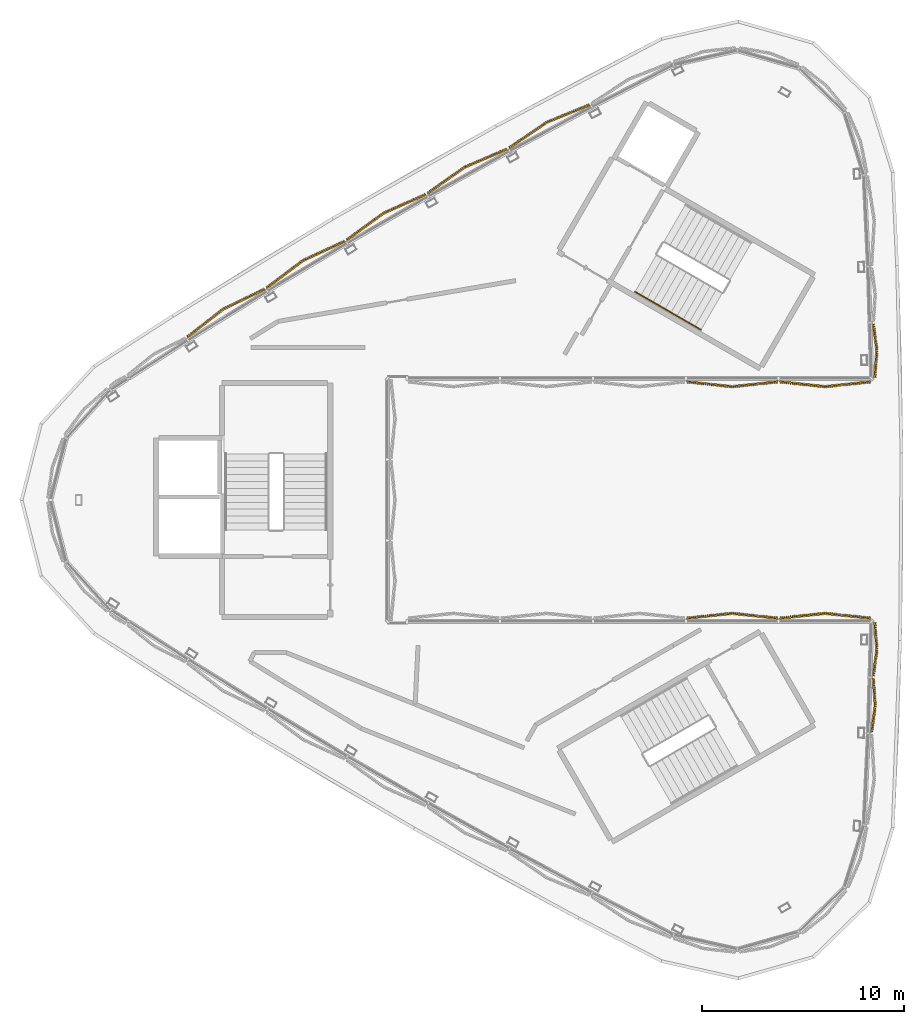
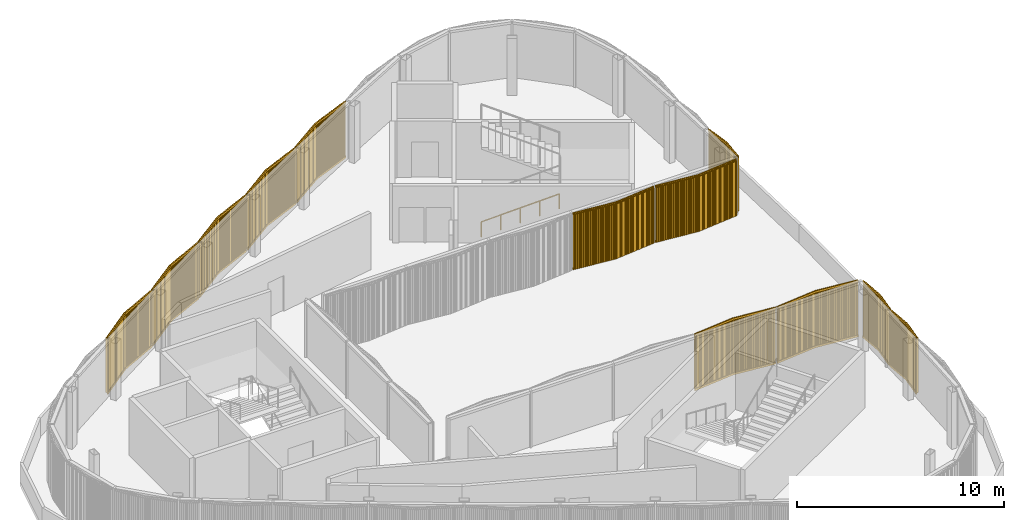
# One storey, part 14 of 16: 12 coverings, 1 railing.
"""IFC4 building model written with IfcOpenShell, lengths in metres."""

from ifc_helpers import new_model, si_unit, direction, frame, frame_2d, origin, origin_2d, place, context, subcontext, project, spatial, rectangle, circle, extrude, source, transform, mapped, material, type_object, element, save


model = new_model("IFC4")

# Units and contexts
model_context = context("Model", 3, precision=1e-05, world=origin(), true_north=direction((0.0, 1.0)))
body_context = subcontext(model_context, "Body", "Model", "MODEL_VIEW")
ifc_project = project(units=[si_unit("LENGTHUNIT", "METRE"), si_unit("AREAUNIT", "SQUARE_METRE"), si_unit("VOLUMEUNIT", "CUBIC_METRE"), si_unit("PLANEANGLEUNIT", "RADIAN"), si_unit("MASSUNIT", "GRAM", prefix="KILO")], contexts=[model_context])

# Site, building, storey
site_placement = place(None, origin())
site = spatial("IfcSite", under=ifc_project, at=site_placement, CompositionType="ELEMENT")
building_placement = place(site_placement, origin())
building = spatial("IfcBuilding", under=site, at=building_placement, Name="Tamra Quay Hotel Tower", CompositionType="ELEMENT")
storey_placement = place(building_placement, frame((0.0, 0.0, 320.60009765625)))
storey = spatial("IfcBuildingStorey", under=building, at=storey_placement, Name="Roof crown 1", CompositionType="ELEMENT", Elevation=320.60009765625)

# Railing
ifc_material_1 = material(Name="Stair handrail 900")
railing_type = type_object("IfcRailingType", Name="Stair handrail 900", PredefinedType="HANDRAIL", material=ifc_material_1)
railing_placement = place(storey_placement, frame((4.234375, 10.294189453125, 0.14990234375)))
element("IfcRailing", 1, at=railing_placement, inside=storey, type_object=railing_type, Name="HR", PredefinedType="HANDRAIL", context=body_context, shape_type="SweptSolid", body=[
    extrude(circle(Radius=0.02392578125, at=origin_2d()), frame((0.0, 0.0, 0.8759765625), z_axis=(0.793122095483, -0.45786531462, 0.401642496911), x_axis=(0.499964013922, 0.86604617936, 0.0)), (0.0, 0.0, 1.0), 4.10791015625),
    extrude(circle(Radius=0.02099609375, at=origin_2d()), origin(), (0.0, 0.0, 1.0), 0.851806640625),
    extrude(circle(Radius=0.02099609375, at=origin_2d()), frame((0.814453125, -0.47021484375, 0.41259765625)), (0.0, 0.0, 1.0), 0.851806640625),
    extrude(circle(Radius=0.02099609375, at=origin_2d()), frame((1.62890625, -0.9404296875, 0.824951171875)), (0.0, 0.0, 1.0), 0.851806640625),
    extrude(circle(Radius=0.02099609375, at=origin_2d()), frame((2.443603515625, -1.41064453125, 1.2373046875)), (0.0, 0.0, 1.0), 0.851806640625),
    extrude(circle(Radius=0.02099609375, at=origin_2d()), frame((3.258056640625, -1.880859375, 1.64990234375)), (0.0, 0.0, 1.0), 0.851806640625),
])

# Coverings
ifc_material_2 = material(Name="Terracotta baguette extruded", Category="masonry")
covering_type = type_object("IfcCoveringType", Name="BAGUETTE SCREEN CROWN H3350", PredefinedType="USERDEFINED", material=ifc_material_2)
shared_shape_1 = source(origin(), body_context, "Body", "SweptSolid", [
    extrude(rectangle(XDim=2.27490234375, YDim=0.06005859375, at=frame_2d((1.137451171875, 0.030029296875))), frame((-2.268798828125, -0.0576171875, -0.1201171875), z_axis=(0.0, 0.0, 1.0), x_axis=(0.994521895368, -0.104528463268, 0.0)), (0.0, 0.0, 1.0), 0.1201171875),
    extrude(rectangle(XDim=2.27490234375, YDim=0.06005859375, at=frame_2d((1.137451171875, 0.030029296875))), frame((-2.268798828125, -0.0576171875, -3.35009765625), z_axis=(0.0, 0.0, 1.0), x_axis=(0.994521895368, -0.104528463268, 0.0)), (0.0, 0.0, 1.0), 0.1201171875),
    extrude(rectangle(XDim=0.070068359375, YDim=0.10009765625, at=frame_2d((0.03515625, 0.050048828125))), frame((-2.248291015625, -0.133056640625, -3.2900390625)), (0.0, 0.0, 1.0), 3.22998046875),
    extrude(rectangle(XDim=0.070068359375, YDim=0.10009765625, at=frame_2d((0.03515625, 0.050048828125))), frame((-2.14990234375, -0.1435546875, -3.2900390625)), (0.0, 0.0, 1.0), 3.22998046875),
    extrude(rectangle(XDim=0.070068359375, YDim=0.10009765625, at=frame_2d((0.03515625, 0.050048828125))), frame((-2.051513671875, -0.15380859375, -3.2900390625)), (0.0, 0.0, 1.0), 3.22998046875),
    extrude(rectangle(XDim=0.070068359375, YDim=0.10009765625, at=frame_2d((0.03515625, 0.050048828125))), frame((-1.953125, -0.164306640625, -3.2900390625)), (0.0, 0.0, 1.0), 3.22998046875),
    extrude(rectangle(XDim=0.070068359375, YDim=0.10009765625, at=frame_2d((0.03515625, 0.050048828125))), frame((-1.854736328125, -0.174560546875, -3.2900390625)), (0.0, 0.0, 1.0), 3.22998046875),
    extrude(rectangle(XDim=0.070068359375, YDim=0.10009765625, at=frame_2d((0.03515625, 0.050048828125))), frame((-1.756591796875, -0.184814453125, -3.2900390625)), (0.0, 0.0, 1.0), 3.22998046875),
    extrude(rectangle(XDim=0.070068359375, YDim=0.10009765625, at=frame_2d((0.03515625, 0.050048828125))), frame((-1.658203125, -0.1953125, -3.2900390625)), (0.0, 0.0, 1.0), 3.22998046875),
    extrude(rectangle(XDim=0.070068359375, YDim=0.10009765625, at=frame_2d((0.03515625, 0.050048828125))), frame((-1.559814453125, -0.20556640625, -3.2900390625)), (0.0, 0.0, 1.0), 3.22998046875),
    extrude(rectangle(XDim=0.070068359375, YDim=0.10009765625, at=frame_2d((0.03515625, 0.050048828125))), frame((-1.46142578125, -0.2158203125, -3.2900390625)), (0.0, 0.0, 1.0), 3.22998046875),
    extrude(rectangle(XDim=0.070068359375, YDim=0.10009765625, at=frame_2d((0.03515625, 0.050048828125))), frame((-1.363037109375, -0.226318359375, -3.2900390625)), (0.0, 0.0, 1.0), 3.22998046875),
    extrude(rectangle(XDim=0.070068359375, YDim=0.10009765625, at=frame_2d((0.03515625, 0.050048828125))), frame((-1.2646484375, -0.236572265625, -3.2900390625)), (0.0, 0.0, 1.0), 3.22998046875),
    extrude(rectangle(XDim=0.070068359375, YDim=0.10009765625, at=frame_2d((0.03515625, 0.050048828125))), frame((-1.166259765625, -0.246826171875, -3.2900390625)), (0.0, 0.0, 1.0), 3.22998046875),
    extrude(rectangle(XDim=0.070068359375, YDim=0.10009765625, at=frame_2d((0.03515625, 0.050048828125))), frame((-1.06787109375, -0.25732421875, -3.2900390625)), (0.0, 0.0, 1.0), 3.22998046875),
    extrude(rectangle(XDim=0.070068359375, YDim=0.10009765625, at=frame_2d((0.03515625, 0.050048828125))), frame((-0.969482421875, -0.267578125, -3.2900390625)), (0.0, 0.0, 1.0), 3.22998046875),
    extrude(rectangle(XDim=0.070068359375, YDim=0.10009765625, at=frame_2d((0.03515625, 0.050048828125))), frame((-0.87109375, -0.27783203125, -3.2900390625)), (0.0, 0.0, 1.0), 3.22998046875),
    extrude(rectangle(XDim=0.070068359375, YDim=0.10009765625, at=frame_2d((0.03515625, 0.050048828125))), frame((-0.772705078125, -0.288330078125, -3.2900390625)), (0.0, 0.0, 1.0), 3.22998046875),
    extrude(rectangle(XDim=0.070068359375, YDim=0.10009765625, at=frame_2d((0.03515625, 0.050048828125))), frame((-0.67431640625, -0.298583984375, -3.2900390625)), (0.0, 0.0, 1.0), 3.22998046875),
    extrude(rectangle(XDim=0.070068359375, YDim=0.10009765625, at=frame_2d((0.03515625, 0.050048828125))), frame((-0.575927734375, -0.308837890625, -3.2900390625)), (0.0, 0.0, 1.0), 3.22998046875),
    extrude(rectangle(XDim=0.070068359375, YDim=0.10009765625, at=frame_2d((0.03515625, 0.050048828125))), frame((-0.4775390625, -0.3193359375, -3.2900390625)), (0.0, 0.0, 1.0), 3.22998046875),
    extrude(rectangle(XDim=0.070068359375, YDim=0.10009765625, at=frame_2d((0.03515625, 0.050048828125))), frame((-0.37939453125, -0.32958984375, -3.2900390625)), (0.0, 0.0, 1.0), 3.22998046875),
    extrude(rectangle(XDim=0.070068359375, YDim=0.10009765625, at=frame_2d((0.03515625, 0.050048828125))), frame((-0.281005859375, -0.33984375, -3.2900390625)), (0.0, 0.0, 1.0), 3.22998046875),
    extrude(rectangle(XDim=0.070068359375, YDim=0.10009765625, at=frame_2d((0.03515625, 0.050048828125))), frame((-0.1826171875, -0.350341796875, -3.2900390625)), (0.0, 0.0, 1.0), 3.22998046875),
    extrude(rectangle(XDim=0.070068359375, YDim=0.10009765625, at=frame_2d((0.03515625, 0.050048828125))), frame((-0.084228515625, -0.360595703125, -3.2900390625)), (0.0, 0.0, 1.0), 3.22998046875),
    extrude(rectangle(XDim=2.27490234375, YDim=0.06005859375, at=frame_2d((1.137451171875, 0.030029296875))), frame((0.00634765625, -0.29541015625, -0.1201171875), z_axis=(0.0, 0.0, 1.0), x_axis=(0.994521895368, 0.104528463268, 0.0)), (0.0, 0.0, 1.0), 0.1201171875),
    extrude(rectangle(XDim=2.27490234375, YDim=0.06005859375, at=frame_2d((1.137451171875, 0.030029296875))), frame((0.00634765625, -0.29541015625, -3.35009765625), z_axis=(0.0, 0.0, 1.0), x_axis=(0.994521895368, 0.104528463268, 0.0)), (0.0, 0.0, 1.0), 0.1201171875),
    extrude(rectangle(XDim=0.070068359375, YDim=0.10009765625, at=frame_2d((0.03515625, 0.050048828125))), frame((0.01416015625, -0.360595703125, -3.2900390625)), (0.0, 0.0, 1.0), 3.22998046875),
    extrude(rectangle(XDim=0.070068359375, YDim=0.10009765625, at=frame_2d((0.03515625, 0.050048828125))), frame((0.112548828125, -0.350341796875, -3.2900390625)), (0.0, 0.0, 1.0), 3.22998046875),
    extrude(rectangle(XDim=0.070068359375, YDim=0.10009765625, at=frame_2d((0.03515625, 0.050048828125))), frame((0.2109375, -0.33984375, -3.2900390625)), (0.0, 0.0, 1.0), 3.22998046875),
    extrude(rectangle(XDim=0.070068359375, YDim=0.10009765625, at=frame_2d((0.03515625, 0.050048828125))), frame((0.309326171875, -0.32958984375, -3.2900390625)), (0.0, 0.0, 1.0), 3.22998046875),
    extrude(rectangle(XDim=0.070068359375, YDim=0.10009765625, at=frame_2d((0.03515625, 0.050048828125))), frame((0.40771484375, -0.3193359375, -3.2900390625)), (0.0, 0.0, 1.0), 3.22998046875),
    extrude(rectangle(XDim=0.070068359375, YDim=0.10009765625, at=frame_2d((0.03515625, 0.050048828125))), frame((0.506103515625, -0.308837890625, -3.2900390625)), (0.0, 0.0, 1.0), 3.22998046875),
    extrude(rectangle(XDim=0.070068359375, YDim=0.10009765625, at=frame_2d((0.03515625, 0.050048828125))), frame((0.6044921875, -0.298583984375, -3.2900390625)), (0.0, 0.0, 1.0), 3.22998046875),
    extrude(rectangle(XDim=0.070068359375, YDim=0.10009765625, at=frame_2d((0.03515625, 0.050048828125))), frame((0.702880859375, -0.288330078125, -3.2900390625)), (0.0, 0.0, 1.0), 3.22998046875),
    extrude(rectangle(XDim=0.070068359375, YDim=0.10009765625, at=frame_2d((0.03515625, 0.050048828125))), frame((0.801025390625, -0.27783203125, -3.2900390625)), (0.0, 0.0, 1.0), 3.22998046875),
    extrude(rectangle(XDim=0.070068359375, YDim=0.10009765625, at=frame_2d((0.03515625, 0.050048828125))), frame((0.8994140625, -0.267578125, -3.2900390625)), (0.0, 0.0, 1.0), 3.22998046875),
    extrude(rectangle(XDim=0.070068359375, YDim=0.10009765625, at=frame_2d((0.03515625, 0.050048828125))), frame((0.997802734375, -0.25732421875, -3.2900390625)), (0.0, 0.0, 1.0), 3.22998046875),
    extrude(rectangle(XDim=0.070068359375, YDim=0.10009765625, at=frame_2d((0.03515625, 0.050048828125))), frame((1.09619140625, -0.246826171875, -3.2900390625)), (0.0, 0.0, 1.0), 3.22998046875),
    extrude(rectangle(XDim=0.070068359375, YDim=0.10009765625, at=frame_2d((0.03515625, 0.050048828125))), frame((1.194580078125, -0.236572265625, -3.2900390625)), (0.0, 0.0, 1.0), 3.22998046875),
    extrude(rectangle(XDim=0.070068359375, YDim=0.10009765625, at=frame_2d((0.03515625, 0.050048828125))), frame((1.29296875, -0.226318359375, -3.2900390625)), (0.0, 0.0, 1.0), 3.22998046875),
    extrude(rectangle(XDim=0.070068359375, YDim=0.10009765625, at=frame_2d((0.03515625, 0.050048828125))), frame((1.391357421875, -0.2158203125, -3.2900390625)), (0.0, 0.0, 1.0), 3.22998046875),
    extrude(rectangle(XDim=0.070068359375, YDim=0.10009765625, at=frame_2d((0.03515625, 0.050048828125))), frame((1.48974609375, -0.20556640625, -3.2900390625)), (0.0, 0.0, 1.0), 3.22998046875),
    extrude(rectangle(XDim=0.070068359375, YDim=0.10009765625, at=frame_2d((0.03515625, 0.050048828125))), frame((1.588134765625, -0.1953125, -3.2900390625)), (0.0, 0.0, 1.0), 3.22998046875),
    extrude(rectangle(XDim=0.070068359375, YDim=0.10009765625, at=frame_2d((0.03515625, 0.050048828125))), frame((1.6865234375, -0.184814453125, -3.2900390625)), (0.0, 0.0, 1.0), 3.22998046875),
    extrude(rectangle(XDim=0.070068359375, YDim=0.10009765625, at=frame_2d((0.03515625, 0.050048828125))), frame((1.784912109375, -0.174560546875, -3.2900390625)), (0.0, 0.0, 1.0), 3.22998046875),
    extrude(rectangle(XDim=0.070068359375, YDim=0.10009765625, at=frame_2d((0.03515625, 0.050048828125))), frame((1.88330078125, -0.164306640625, -3.2900390625)), (0.0, 0.0, 1.0), 3.22998046875),
    extrude(rectangle(XDim=0.070068359375, YDim=0.10009765625, at=frame_2d((0.03515625, 0.050048828125))), frame((1.981689453125, -0.15380859375, -3.2900390625)), (0.0, 0.0, 1.0), 3.22998046875),
    extrude(rectangle(XDim=0.070068359375, YDim=0.10009765625, at=frame_2d((0.03515625, 0.050048828125))), frame((2.079833984375, -0.1435546875, -3.2900390625)), (0.0, 0.0, 1.0), 3.22998046875),
    extrude(rectangle(XDim=0.070068359375, YDim=0.10009765625, at=frame_2d((0.03515625, 0.050048828125))), frame((2.17822265625, -0.133056640625, -3.2900390625)), (0.0, 0.0, 1.0), 3.22998046875),
])
for number, where, z_axis, x_axis, name in (
    (2, (0.021484375, 18.416015625, 3.349853515625), (0.0, 0.0, 1.0), (-0.881223582111, -0.472699691486, 0.0), "Baguette screen Roof crown 1.A.f06"),
    (3, (-4.02734375, 16.203125, 3.349853515625), (0.0, 0.0, 1.0), (-0.873735522847, -0.486401311794, 0.0), "Baguette screen Roof crown 1.A.f07"),
    (4, (-8.041015625, 13.927490234375, 3.349853515625), (0.0, 0.0, 1.0), (-0.866025403784, -0.5, 0.0), "Baguette screen Roof crown 1.A.f08"),
    (5, (-12.018798828125, 11.58935546875, 3.349853515625), (0.0, 0.0, 1.0), (-0.858103653871, -0.513476503078, 0.0), "Baguette screen Roof crown 1.A.f09"),
    (6, (-15.95947265625, 9.189453125, 3.349853515625), (0.0, 0.0, 1.0), (-0.849981732244, -0.526812162779, 0.0), "Baguette screen Roof crown 1.A.f10"),
):
    element("IfcCovering", number, at=place(storey_placement, frame(where, z_axis=z_axis, x_axis=x_axis)), inside=storey, type_object=covering_type, Name=name, ObjectType="BAGUETTE SCREEN", PredefinedType="USERDEFINED", context=body_context, shape_type="MappedRepresentation", body=[
        mapped(shared_shape_1, transform((0.0, 0.0, 0.0), scale=1.0)),
    ])
shared_shape_2 = source(origin(), body_context, "Body", "SweptSolid", [
    extrude(rectangle(XDim=2.264892578125, YDim=0.06005859375, at=frame_2d((1.13232421875, 0.030029296875))), frame((-2.2587890625, -0.0576171875, -0.1201171875), z_axis=(0.0, 0.0, 1.0), x_axis=(0.994521895368, -0.104528463268, 0.0)), (0.0, 0.0, 1.0), 0.1201171875),
    extrude(rectangle(XDim=2.264892578125, YDim=0.06005859375, at=frame_2d((1.13232421875, 0.030029296875))), frame((-2.2587890625, -0.0576171875, -3.35009765625), z_axis=(0.0, 0.0, 1.0), x_axis=(0.994521895368, -0.104528463268, 0.0)), (0.0, 0.0, 1.0), 0.1201171875),
    extrude(rectangle(XDim=0.070068359375, YDim=0.10009765625, at=frame_2d((0.03515625, 0.050048828125))), frame((-2.238525390625, -0.133056640625, -3.2900390625)), (0.0, 0.0, 1.0), 3.22998046875),
    extrude(rectangle(XDim=0.070068359375, YDim=0.10009765625, at=frame_2d((0.03515625, 0.050048828125))), frame((-2.140625, -0.1435546875, -3.2900390625)), (0.0, 0.0, 1.0), 3.22998046875),
    extrude(rectangle(XDim=0.070068359375, YDim=0.10009765625, at=frame_2d((0.03515625, 0.050048828125))), frame((-2.042724609375, -0.15380859375, -3.2900390625)), (0.0, 0.0, 1.0), 3.22998046875),
    extrude(rectangle(XDim=0.070068359375, YDim=0.10009765625, at=frame_2d((0.03515625, 0.050048828125))), frame((-1.94482421875, -0.1640625, -3.2900390625)), (0.0, 0.0, 1.0), 3.22998046875),
    extrude(rectangle(XDim=0.070068359375, YDim=0.10009765625, at=frame_2d((0.03515625, 0.050048828125))), frame((-1.8466796875, -0.17431640625, -3.2900390625)), (0.0, 0.0, 1.0), 3.22998046875),
    extrude(rectangle(XDim=0.070068359375, YDim=0.10009765625, at=frame_2d((0.03515625, 0.050048828125))), frame((-1.748779296875, -0.1845703125, -3.2900390625)), (0.0, 0.0, 1.0), 3.22998046875),
    extrude(rectangle(XDim=0.070068359375, YDim=0.10009765625, at=frame_2d((0.03515625, 0.050048828125))), frame((-1.65087890625, -0.19482421875, -3.2900390625)), (0.0, 0.0, 1.0), 3.22998046875),
    extrude(rectangle(XDim=0.070068359375, YDim=0.10009765625, at=frame_2d((0.03515625, 0.050048828125))), frame((-1.552978515625, -0.205078125, -3.2900390625)), (0.0, 0.0, 1.0), 3.22998046875),
    extrude(rectangle(XDim=0.070068359375, YDim=0.10009765625, at=frame_2d((0.03515625, 0.050048828125))), frame((-1.455078125, -0.215576171875, -3.2900390625)), (0.0, 0.0, 1.0), 3.22998046875),
    extrude(rectangle(XDim=0.070068359375, YDim=0.10009765625, at=frame_2d((0.03515625, 0.050048828125))), frame((-1.357177734375, -0.225830078125, -3.2900390625)), (0.0, 0.0, 1.0), 3.22998046875),
    extrude(rectangle(XDim=0.070068359375, YDim=0.10009765625, at=frame_2d((0.03515625, 0.050048828125))), frame((-1.25927734375, -0.236083984375, -3.2900390625)), (0.0, 0.0, 1.0), 3.22998046875),
    extrude(rectangle(XDim=0.070068359375, YDim=0.10009765625, at=frame_2d((0.03515625, 0.050048828125))), frame((-1.1611328125, -0.246337890625, -3.2900390625)), (0.0, 0.0, 1.0), 3.22998046875),
    extrude(rectangle(XDim=0.070068359375, YDim=0.10009765625, at=frame_2d((0.03515625, 0.050048828125))), frame((-1.063232421875, -0.256591796875, -3.2900390625)), (0.0, 0.0, 1.0), 3.22998046875),
    extrude(rectangle(XDim=0.070068359375, YDim=0.10009765625, at=frame_2d((0.03515625, 0.050048828125))), frame((-0.96533203125, -0.266845703125, -3.2900390625)), (0.0, 0.0, 1.0), 3.22998046875),
    extrude(rectangle(XDim=0.070068359375, YDim=0.10009765625, at=frame_2d((0.03515625, 0.050048828125))), frame((-0.867431640625, -0.27734375, -3.2900390625)), (0.0, 0.0, 1.0), 3.22998046875),
    extrude(rectangle(XDim=0.070068359375, YDim=0.10009765625, at=frame_2d((0.03515625, 0.050048828125))), frame((-0.76953125, -0.28759765625, -3.2900390625)), (0.0, 0.0, 1.0), 3.22998046875),
    extrude(rectangle(XDim=0.070068359375, YDim=0.10009765625, at=frame_2d((0.03515625, 0.050048828125))), frame((-0.671630859375, -0.2978515625, -3.2900390625)), (0.0, 0.0, 1.0), 3.22998046875),
    extrude(rectangle(XDim=0.070068359375, YDim=0.10009765625, at=frame_2d((0.03515625, 0.050048828125))), frame((-0.57373046875, -0.30810546875, -3.2900390625)), (0.0, 0.0, 1.0), 3.22998046875),
    extrude(rectangle(XDim=0.070068359375, YDim=0.10009765625, at=frame_2d((0.03515625, 0.050048828125))), frame((-0.475830078125, -0.318359375, -3.2900390625)), (0.0, 0.0, 1.0), 3.22998046875),
    extrude(rectangle(XDim=0.070068359375, YDim=0.10009765625, at=frame_2d((0.03515625, 0.050048828125))), frame((-0.377685546875, -0.32861328125, -3.2900390625)), (0.0, 0.0, 1.0), 3.22998046875),
    extrude(rectangle(XDim=0.070068359375, YDim=0.10009765625, at=frame_2d((0.03515625, 0.050048828125))), frame((-0.27978515625, -0.339111328125, -3.2900390625)), (0.0, 0.0, 1.0), 3.22998046875),
    extrude(rectangle(XDim=0.070068359375, YDim=0.10009765625, at=frame_2d((0.03515625, 0.050048828125))), frame((-0.181884765625, -0.349365234375, -3.2900390625)), (0.0, 0.0, 1.0), 3.22998046875),
    extrude(rectangle(XDim=0.070068359375, YDim=0.10009765625, at=frame_2d((0.03515625, 0.050048828125))), frame((-0.083984375, -0.359619140625, -3.2900390625)), (0.0, 0.0, 1.0), 3.22998046875),
    extrude(rectangle(XDim=2.264892578125, YDim=0.06005859375, at=frame_2d((1.13232421875, 0.030029296875))), frame((0.00634765625, -0.29443359375, -0.1201171875), z_axis=(0.0, 0.0, 1.0), x_axis=(0.994521895368, 0.104528463268, 0.0)), (0.0, 0.0, 1.0), 0.1201171875),
    extrude(rectangle(XDim=2.264892578125, YDim=0.06005859375, at=frame_2d((1.13232421875, 0.030029296875))), frame((0.00634765625, -0.29443359375, -3.35009765625), z_axis=(0.0, 0.0, 1.0), x_axis=(0.994521895368, 0.104528463268, 0.0)), (0.0, 0.0, 1.0), 0.1201171875),
    extrude(rectangle(XDim=0.070068359375, YDim=0.10009765625, at=frame_2d((0.03515625, 0.050048828125))), frame((0.013916015625, -0.359619140625, -3.2900390625)), (0.0, 0.0, 1.0), 3.22998046875),
    extrude(rectangle(XDim=0.070068359375, YDim=0.10009765625, at=frame_2d((0.03515625, 0.050048828125))), frame((0.11181640625, -0.349365234375, -3.2900390625)), (0.0, 0.0, 1.0), 3.22998046875),
    extrude(rectangle(XDim=0.070068359375, YDim=0.10009765625, at=frame_2d((0.03515625, 0.050048828125))), frame((0.2099609375, -0.339111328125, -3.2900390625)), (0.0, 0.0, 1.0), 3.22998046875),
    extrude(rectangle(XDim=0.070068359375, YDim=0.10009765625, at=frame_2d((0.03515625, 0.050048828125))), frame((0.307861328125, -0.32861328125, -3.2900390625)), (0.0, 0.0, 1.0), 3.22998046875),
    extrude(rectangle(XDim=0.070068359375, YDim=0.10009765625, at=frame_2d((0.03515625, 0.050048828125))), frame((0.40576171875, -0.318359375, -3.2900390625)), (0.0, 0.0, 1.0), 3.22998046875),
    extrude(rectangle(XDim=0.070068359375, YDim=0.10009765625, at=frame_2d((0.03515625, 0.050048828125))), frame((0.503662109375, -0.30810546875, -3.2900390625)), (0.0, 0.0, 1.0), 3.22998046875),
    extrude(rectangle(XDim=0.070068359375, YDim=0.10009765625, at=frame_2d((0.03515625, 0.050048828125))), frame((0.6015625, -0.2978515625, -3.2900390625)), (0.0, 0.0, 1.0), 3.22998046875),
    extrude(rectangle(XDim=0.070068359375, YDim=0.10009765625, at=frame_2d((0.03515625, 0.050048828125))), frame((0.699462890625, -0.28759765625, -3.2900390625)), (0.0, 0.0, 1.0), 3.22998046875),
    extrude(rectangle(XDim=0.070068359375, YDim=0.10009765625, at=frame_2d((0.03515625, 0.050048828125))), frame((0.79736328125, -0.27734375, -3.2900390625)), (0.0, 0.0, 1.0), 3.22998046875),
    extrude(rectangle(XDim=0.070068359375, YDim=0.10009765625, at=frame_2d((0.03515625, 0.050048828125))), frame((0.895263671875, -0.266845703125, -3.2900390625)), (0.0, 0.0, 1.0), 3.22998046875),
    extrude(rectangle(XDim=0.070068359375, YDim=0.10009765625, at=frame_2d((0.03515625, 0.050048828125))), frame((0.993408203125, -0.256591796875, -3.2900390625)), (0.0, 0.0, 1.0), 3.22998046875),
    extrude(rectangle(XDim=0.070068359375, YDim=0.10009765625, at=frame_2d((0.03515625, 0.050048828125))), frame((1.09130859375, -0.246337890625, -3.2900390625)), (0.0, 0.0, 1.0), 3.22998046875),
    extrude(rectangle(XDim=0.070068359375, YDim=0.10009765625, at=frame_2d((0.03515625, 0.050048828125))), frame((1.189208984375, -0.236083984375, -3.2900390625)), (0.0, 0.0, 1.0), 3.22998046875),
    extrude(rectangle(XDim=0.070068359375, YDim=0.10009765625, at=frame_2d((0.03515625, 0.050048828125))), frame((1.287109375, -0.225830078125, -3.2900390625)), (0.0, 0.0, 1.0), 3.22998046875),
    extrude(rectangle(XDim=0.070068359375, YDim=0.10009765625, at=frame_2d((0.03515625, 0.050048828125))), frame((1.385009765625, -0.215576171875, -3.2900390625)), (0.0, 0.0, 1.0), 3.22998046875),
    extrude(rectangle(XDim=0.070068359375, YDim=0.10009765625, at=frame_2d((0.03515625, 0.050048828125))), frame((1.48291015625, -0.205078125, -3.2900390625)), (0.0, 0.0, 1.0), 3.22998046875),
    extrude(rectangle(XDim=0.070068359375, YDim=0.10009765625, at=frame_2d((0.03515625, 0.050048828125))), frame((1.580810546875, -0.19482421875, -3.2900390625)), (0.0, 0.0, 1.0), 3.22998046875),
    extrude(rectangle(XDim=0.070068359375, YDim=0.10009765625, at=frame_2d((0.03515625, 0.050048828125))), frame((1.678955078125, -0.1845703125, -3.2900390625)), (0.0, 0.0, 1.0), 3.22998046875),
    extrude(rectangle(XDim=0.070068359375, YDim=0.10009765625, at=frame_2d((0.03515625, 0.050048828125))), frame((1.77685546875, -0.17431640625, -3.2900390625)), (0.0, 0.0, 1.0), 3.22998046875),
    extrude(rectangle(XDim=0.070068359375, YDim=0.10009765625, at=frame_2d((0.03515625, 0.050048828125))), frame((1.874755859375, -0.1640625, -3.2900390625)), (0.0, 0.0, 1.0), 3.22998046875),
    extrude(rectangle(XDim=0.070068359375, YDim=0.10009765625, at=frame_2d((0.03515625, 0.050048828125))), frame((1.97265625, -0.15380859375, -3.2900390625)), (0.0, 0.0, 1.0), 3.22998046875),
    extrude(rectangle(XDim=0.070068359375, YDim=0.10009765625, at=frame_2d((0.03515625, 0.050048828125))), frame((2.070556640625, -0.1435546875, -3.2900390625)), (0.0, 0.0, 1.0), 3.22998046875),
    extrude(rectangle(XDim=0.070068359375, YDim=0.10009765625, at=frame_2d((0.03515625, 0.050048828125))), frame((2.16845703125, -0.133056640625, -3.2900390625)), (0.0, 0.0, 1.0), 3.22998046875),
])
for number, where, z_axis, x_axis, name in (
    (7, (9.037353515625, 5.902099609375, 3.349853515625), (0.0, 0.0, 1.0), (1.0, 0.0, 0.0), "Baguette screen Roof crown 1.A.f18"),
    (8, (13.6298828125, 5.902099609375, 3.349853515625), (0.0, 0.0, 1.0), (1.0, 0.0, 0.0), "Baguette screen Roof crown 1.A.f19"),
    (9, (13.6298828125, -5.902099609375, 3.349853515625), (0.0, 0.0, 1.0), (-1.0, 0.0, 0.0), "Baguette screen Roof crown 1.B.f00"),
    (10, (9.037353515625, -5.902099609375, 3.349853515625), (0.0, 0.0, 1.0), (-1.0, 0.0, 0.0), "Baguette screen Roof crown 1.B.f01"),
):
    element("IfcCovering", number, at=place(storey_placement, frame(where, z_axis=z_axis, x_axis=x_axis)), inside=storey, type_object=covering_type, Name=name, ObjectType="BAGUETTE SCREEN", PredefinedType="USERDEFINED", context=body_context, shape_type="MappedRepresentation", body=[
        mapped(shared_shape_2, transform((0.0, 0.0, 0.0), scale=1.0)),
    ])
shared_shape_3 = source(origin(), body_context, "Body", "SweptSolid", [
    extrude(rectangle(XDim=1.349853515625, YDim=0.06005859375, at=frame_2d((0.6748046875, 0.030029296875))), frame((-1.348876953125, -0.0576171875, -0.1201171875), z_axis=(0.0, 0.0, 1.0), x_axis=(0.994521895368, -0.104528463268, 0.0)), (0.0, 0.0, 1.0), 0.1201171875),
    extrude(rectangle(XDim=1.349853515625, YDim=0.06005859375, at=frame_2d((0.6748046875, 0.030029296875))), frame((-1.348876953125, -0.0576171875, -3.35009765625), z_axis=(0.0, 0.0, 1.0), x_axis=(0.994521895368, -0.104528463268, 0.0)), (0.0, 0.0, 1.0), 0.1201171875),
    extrude(rectangle(XDim=0.070068359375, YDim=0.10009765625, at=frame_2d((0.03515625, 0.050048828125))), frame((-1.325927734375, -0.133544921875, -3.2900390625)), (0.0, 0.0, 1.0), 3.22998046875),
    extrude(rectangle(XDim=0.070068359375, YDim=0.10009765625, at=frame_2d((0.03515625, 0.050048828125))), frame((-1.22265625, -0.144287109375, -3.2900390625)), (0.0, 0.0, 1.0), 3.22998046875),
    extrude(rectangle(XDim=0.070068359375, YDim=0.10009765625, at=frame_2d((0.03515625, 0.050048828125))), frame((-1.119384765625, -0.155029296875, -3.2900390625)), (0.0, 0.0, 1.0), 3.22998046875),
    extrude(rectangle(XDim=0.070068359375, YDim=0.10009765625, at=frame_2d((0.03515625, 0.050048828125))), frame((-1.01611328125, -0.166015625, -3.2900390625)), (0.0, 0.0, 1.0), 3.22998046875),
    extrude(rectangle(XDim=0.070068359375, YDim=0.10009765625, at=frame_2d((0.03515625, 0.050048828125))), frame((-0.912841796875, -0.1767578125, -3.2900390625)), (0.0, 0.0, 1.0), 3.22998046875),
    extrude(rectangle(XDim=0.070068359375, YDim=0.10009765625, at=frame_2d((0.03515625, 0.050048828125))), frame((-0.8095703125, -0.187744140625, -3.2900390625)), (0.0, 0.0, 1.0), 3.22998046875),
    extrude(rectangle(XDim=0.070068359375, YDim=0.10009765625, at=frame_2d((0.03515625, 0.050048828125))), frame((-0.706298828125, -0.198486328125, -3.2900390625)), (0.0, 0.0, 1.0), 3.22998046875),
    extrude(rectangle(XDim=0.070068359375, YDim=0.10009765625, at=frame_2d((0.03515625, 0.050048828125))), frame((-0.60302734375, -0.20947265625, -3.2900390625)), (0.0, 0.0, 1.0), 3.22998046875),
    extrude(rectangle(XDim=0.070068359375, YDim=0.10009765625, at=frame_2d((0.03515625, 0.050048828125))), frame((-0.499755859375, -0.22021484375, -3.2900390625)), (0.0, 0.0, 1.0), 3.22998046875),
    extrude(rectangle(XDim=0.070068359375, YDim=0.10009765625, at=frame_2d((0.03515625, 0.050048828125))), frame((-0.396484375, -0.231201171875, -3.2900390625)), (0.0, 0.0, 1.0), 3.22998046875),
    extrude(rectangle(XDim=0.070068359375, YDim=0.10009765625, at=frame_2d((0.03515625, 0.050048828125))), frame((-0.293212890625, -0.241943359375, -3.2900390625)), (0.0, 0.0, 1.0), 3.22998046875),
    extrude(rectangle(XDim=0.070068359375, YDim=0.10009765625, at=frame_2d((0.03515625, 0.050048828125))), frame((-0.18994140625, -0.2529296875, -3.2900390625)), (0.0, 0.0, 1.0), 3.22998046875),
    extrude(rectangle(XDim=0.070068359375, YDim=0.10009765625, at=frame_2d((0.03515625, 0.050048828125))), frame((-0.086669921875, -0.263671875, -3.2900390625)), (0.0, 0.0, 1.0), 3.22998046875),
    extrude(rectangle(XDim=1.349853515625, YDim=0.06005859375, at=frame_2d((0.6748046875, 0.030029296875))), frame((0.00634765625, -0.19873046875, -0.1201171875), z_axis=(0.0, 0.0, 1.0), x_axis=(0.994521895368, 0.104528463268, 0.0)), (0.0, 0.0, 1.0), 0.1201171875),
    extrude(rectangle(XDim=1.349853515625, YDim=0.06005859375, at=frame_2d((0.6748046875, 0.030029296875))), frame((0.00634765625, -0.19873046875, -3.35009765625), z_axis=(0.0, 0.0, 1.0), x_axis=(0.994521895368, 0.104528463268, 0.0)), (0.0, 0.0, 1.0), 0.1201171875),
    extrude(rectangle(XDim=0.070068359375, YDim=0.10009765625, at=frame_2d((0.03515625, 0.050048828125))), frame((0.0166015625, -0.263671875, -3.2900390625)), (0.0, 0.0, 1.0), 3.22998046875),
    extrude(rectangle(XDim=0.070068359375, YDim=0.10009765625, at=frame_2d((0.03515625, 0.050048828125))), frame((0.119873046875, -0.2529296875, -3.2900390625)), (0.0, 0.0, 1.0), 3.22998046875),
    extrude(rectangle(XDim=0.070068359375, YDim=0.10009765625, at=frame_2d((0.03515625, 0.050048828125))), frame((0.22314453125, -0.241943359375, -3.2900390625)), (0.0, 0.0, 1.0), 3.22998046875),
    extrude(rectangle(XDim=0.070068359375, YDim=0.10009765625, at=frame_2d((0.03515625, 0.050048828125))), frame((0.326416015625, -0.231201171875, -3.2900390625)), (0.0, 0.0, 1.0), 3.22998046875),
    extrude(rectangle(XDim=0.070068359375, YDim=0.10009765625, at=frame_2d((0.03515625, 0.050048828125))), frame((0.4296875, -0.22021484375, -3.2900390625)), (0.0, 0.0, 1.0), 3.22998046875),
    extrude(rectangle(XDim=0.070068359375, YDim=0.10009765625, at=frame_2d((0.03515625, 0.050048828125))), frame((0.532958984375, -0.20947265625, -3.2900390625)), (0.0, 0.0, 1.0), 3.22998046875),
    extrude(rectangle(XDim=0.070068359375, YDim=0.10009765625, at=frame_2d((0.03515625, 0.050048828125))), frame((0.63623046875, -0.198486328125, -3.2900390625)), (0.0, 0.0, 1.0), 3.22998046875),
    extrude(rectangle(XDim=0.070068359375, YDim=0.10009765625, at=frame_2d((0.03515625, 0.050048828125))), frame((0.739501953125, -0.187744140625, -3.2900390625)), (0.0, 0.0, 1.0), 3.22998046875),
    extrude(rectangle(XDim=0.070068359375, YDim=0.10009765625, at=frame_2d((0.03515625, 0.050048828125))), frame((0.8427734375, -0.1767578125, -3.2900390625)), (0.0, 0.0, 1.0), 3.22998046875),
    extrude(rectangle(XDim=0.070068359375, YDim=0.10009765625, at=frame_2d((0.03515625, 0.050048828125))), frame((0.946044921875, -0.166015625, -3.2900390625)), (0.0, 0.0, 1.0), 3.22998046875),
    extrude(rectangle(XDim=0.070068359375, YDim=0.10009765625, at=frame_2d((0.03515625, 0.050048828125))), frame((1.04931640625, -0.155029296875, -3.2900390625)), (0.0, 0.0, 1.0), 3.22998046875),
    extrude(rectangle(XDim=0.070068359375, YDim=0.10009765625, at=frame_2d((0.03515625, 0.050048828125))), frame((1.152587890625, -0.144287109375, -3.2900390625)), (0.0, 0.0, 1.0), 3.22998046875),
    extrude(rectangle(XDim=0.070068359375, YDim=0.10009765625, at=frame_2d((0.03515625, 0.050048828125))), frame((1.255859375, -0.133544921875, -3.2900390625)), (0.0, 0.0, 1.0), 3.22998046875),
])
for number, where, z_axis, x_axis, name in (
    (11, (15.984619140625, 7.385009765625, 3.349853515625), (0.0, 0.0, 1.0), (-0.028649831581, 0.999589509324, 0.0), "Baguette screen Roof crown 1.A.f20"),
    (12, (15.905517578125, -10.149169921875, 3.349853515625), (0.0, 0.0, 1.0), (0.028649831581, 0.999589509324, 0.0), "Baguette screen Roof crown 1.B.f20"),
    (13, (15.984619140625, -7.385009765625, 3.349853515625), (0.0, 0.0, 1.0), (0.028649831581, 0.999589509324, 0.0), "Baguette screen Roof crown 1.B.f21"),
):
    element("IfcCovering", number, at=place(storey_placement, frame(where, z_axis=z_axis, x_axis=x_axis)), inside=storey, type_object=covering_type, Name=name, ObjectType="BAGUETTE SCREEN", PredefinedType="USERDEFINED", context=body_context, shape_type="MappedRepresentation", body=[
        mapped(shared_shape_3, transform((0.0, 0.0, 0.0), scale=1.0)),
    ])

save(model, "model.ifc")
